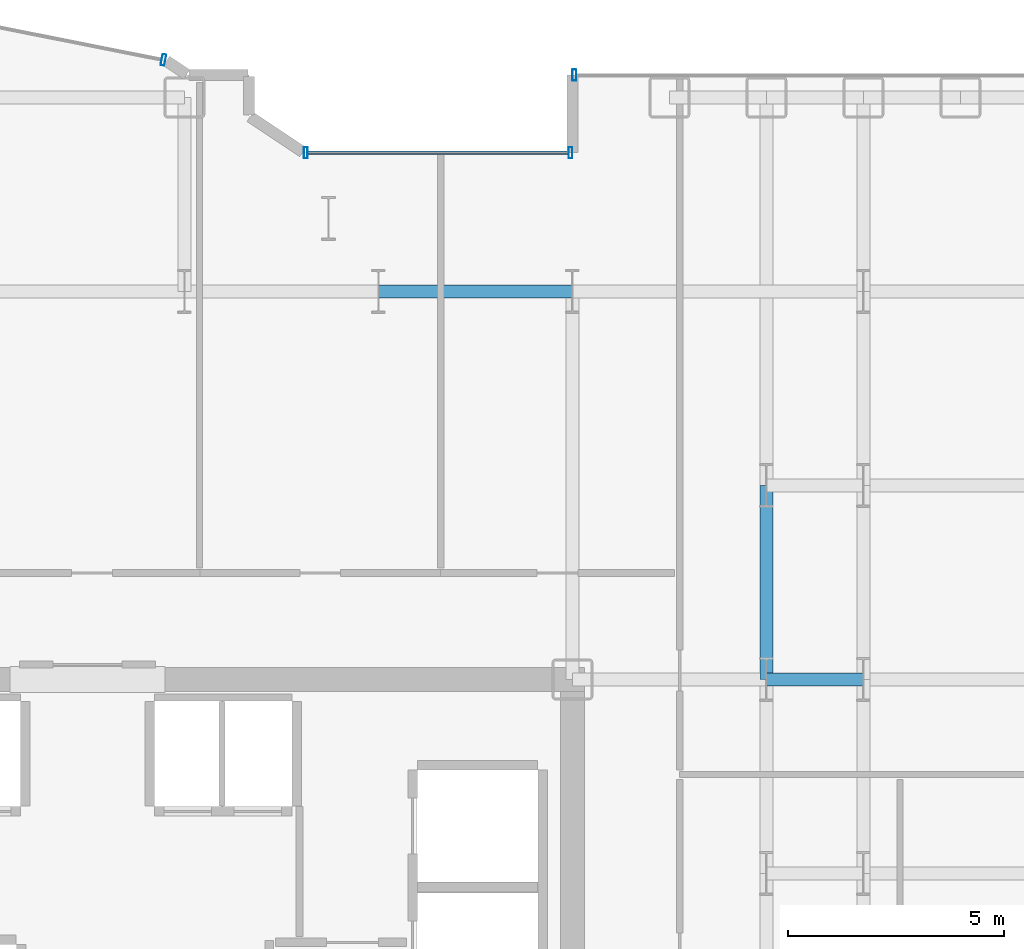
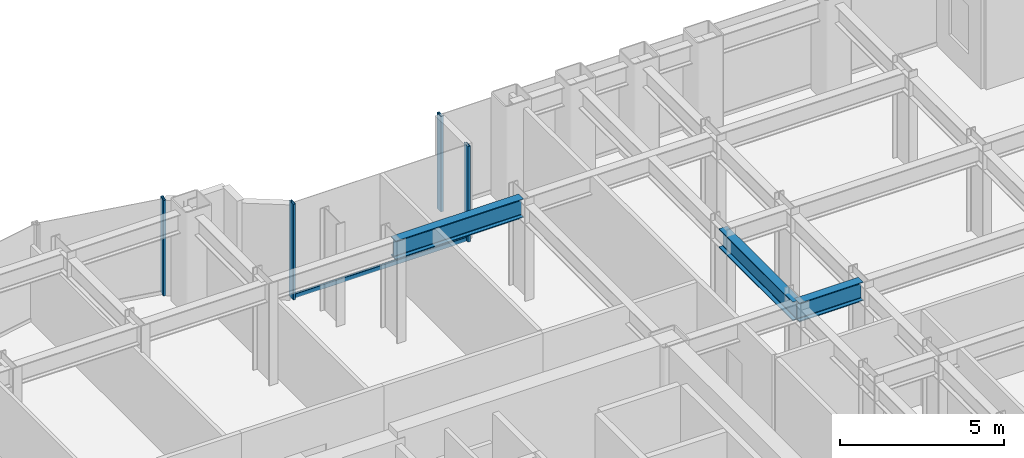
# One storey, part 12 of 26: 5 members, 3 beams, 3 elements without a shape of their own.
"""IFC4 building model written with IfcOpenShell, lengths in metres."""

import ifcopenshell
import ifcopenshell.guid

model = None  # the IFC model being written
_history = None  # IfcOwnerHistory: only IFC2X3 demands one
_inside = {}  # id of a spatial element -> (the spatial element, [elements in it])
_under = {}  # id of a project, library or spatial element -> (it, [spatial elements below it])
_declared = {}  # id of a project -> (the project, [libraries it declares])
_typed = {}  # id of a type object -> (the type object, [elements of that type])
_made_of = {}  # id of a material, layer set ... -> (it, [elements and type objects made of it])


def new_model(schema):
    """Start an empty IFC model of exactly this schema.

    Asked for "IFC4X3", IfcOpenShell would pick the latest addendum, in which some entities
    have other attributes; the version numbers below select the first issue.
    IFC2X3 requires an IfcOwnerHistory on every rooted entity: one is made here for all.
    """
    global model, _history
    if schema == "IFC4X3":
        model = ifcopenshell.file(schema_version=(4, 3, 0, 0))
    else:
        model = ifcopenshell.file(schema=schema)
    _inside.clear()
    _under.clear()
    _declared.clear()
    _typed.clear()
    _made_of.clear()
    _history = None
    if model.schema == "IFC2X3":
        org = make("IfcOrganization", Name="unknown")
        user = make(
            "IfcPersonAndOrganization",
            ThePerson=make("IfcPerson", FamilyName="unknown"),
            TheOrganization=org,
        )
        app = make(
            "IfcApplication",
            ApplicationDeveloper=org,
            Version="unknown",
            ApplicationFullName="unknown",
            ApplicationIdentifier="unknown",
        )
        _history = make(
            "IfcOwnerHistory",
            OwningUser=user,
            OwningApplication=app,
            ChangeAction="ADDED",
            CreationDate=0,
        )
    return model


def make(cls, **values):
    """One entity of the class cls with the attributes given. An attribute that is None is left unset."""
    return model.create_entity(
        cls, **{name: value for name, value in values.items() if value is not None}
    )


def rooted(cls, **values):
    """An entity with a GlobalId (a new one), such as an element, a storey or a relation."""
    return make(cls, GlobalId=ifcopenshell.guid.new(), OwnerHistory=_history, **values)


def si_unit(unit_type, name, prefix=None):
    """IfcSIUnit, for example si_unit("LENGTHUNIT", "METRE", prefix="MILLI")."""
    return make("IfcSIUnit", UnitType=unit_type, Prefix=prefix, Name=name)


def assignment(units):
    """IfcUnitAssignment: the units of a project."""
    return None if units is None else make("IfcUnitAssignment", Units=units)


def point(xyz):
    """IfcCartesianPoint."""
    return None if xyz is None else make("IfcCartesianPoint", Coordinates=xyz)


def direction(xyz):
    """IfcDirection."""
    return None if xyz is None else make("IfcDirection", DirectionRatios=xyz)


def frame(location, z_axis=None, x_axis=None):
    """IfcAxis2Placement3D, a coordinate frame: its origin and axes. An axis left out is left unset."""
    return make(
        "IfcAxis2Placement3D",
        Location=point(location),
        Axis=direction(z_axis),
        RefDirection=direction(x_axis),
    )


def frame_2d(location, x_axis=None):
    """IfcAxis2Placement2D, a coordinate frame in the plane: its origin and x axis."""
    return make(
        "IfcAxis2Placement2D", Location=point(location), RefDirection=direction(x_axis)
    )


def origin():
    """The frame at (0, 0, 0) with its axes left unset."""
    return frame((0.0, 0.0, 0.0))


def origin_2d():
    """The frame at (0, 0) in the plane with its x axis left unset."""
    return frame_2d((0.0, 0.0))


def place(relative_to, where):
    """IfcLocalPlacement: puts the frame where relative to a parent placement (None: the world)."""
    return make(
        "IfcLocalPlacement", PlacementRelTo=relative_to, RelativePlacement=where
    )


def context(
    kind, dimensions, precision=None, world=None, true_north=None, identifier=None
):
    """IfcGeometricRepresentationContext, for example the 3D "Model" context."""
    return make(
        "IfcGeometricRepresentationContext",
        ContextIdentifier=identifier,
        ContextType=kind,
        CoordinateSpaceDimension=dimensions,
        Precision=precision,
        WorldCoordinateSystem=world,
        TrueNorth=true_north,
    )


def subcontext(parent, identifier, kind, view, scale=None):
    """IfcGeometricRepresentationSubContext, for example "Body" below "Model"."""
    return make(
        "IfcGeometricRepresentationSubContext",
        ContextIdentifier=identifier,
        ContextType=kind,
        ParentContext=parent,
        TargetScale=scale,
        TargetView=view,
    )


def project(units=None, contexts=None):
    """IfcProject with its units and contexts."""
    return rooted(
        "IfcProject",
        Name="project",
        RepresentationContexts=contexts,
        UnitsInContext=assignment(units),
    )


def spatial(cls, under=None, at=None, **own):
    """A site, building, storey or space (cls), placed at a placement, below another one or the project."""
    s = rooted(cls, ObjectPlacement=at, **own)
    if under is not None:
        _under.setdefault(under.id(), (under, []))[1].append(s)
    return s


def profile(cls, at=None, kind="AREA", **sizes):
    """A parametric profile (cls). Its sizes go by their IFC names, for example OverallWidth=200.0."""
    return make(cls, ProfileType=kind, Position=at, **sizes)


def hollow_rectangle(**sizes):
    """IfcRectangleHollowProfileDef."""
    return profile("IfcRectangleHollowProfileDef", **sizes)


def i_section(**sizes):
    """IfcIShapeProfileDef."""
    return profile("IfcIShapeProfileDef", **sizes)


def extrude(swept, where, along, depth):
    """IfcExtrudedAreaSolid: the profile swept, set in the frame where, extruded along a direction by depth."""
    return make(
        "IfcExtrudedAreaSolid",
        SweptArea=swept,
        Position=where,
        ExtrudedDirection=direction(along),
        Depth=depth,
    )


def shape(context_of_items, identifier, shape_type, items):
    """IfcShapeRepresentation: the items that make up one representation, for example the "Body"."""
    return make(
        "IfcShapeRepresentation",
        ContextOfItems=context_of_items,
        RepresentationIdentifier=identifier,
        RepresentationType=shape_type,
        Items=items,
    )


def source(mapping_origin, context_of_items, identifier, shape_type, items):
    """IfcRepresentationMap: a shape defined once, which mapped items show again and again."""
    return make(
        "IfcRepresentationMap",
        MappingOrigin=mapping_origin,
        MappedRepresentation=shape(context_of_items, identifier, shape_type, items),
    )


def transform(
    local_origin,
    x_axis=None,
    y_axis=None,
    z_axis=None,
    scale=None,
    scale2=None,
    scale3=None,
    uniform=True,
):
    """IfcCartesianTransformationOperator3D, or its non-uniform kind. x_axis, y_axis, z_axis: its Axis1, 2, 3."""
    if uniform:
        return make(
            "IfcCartesianTransformationOperator3D",
            Axis1=direction(x_axis),
            Axis2=direction(y_axis),
            LocalOrigin=point(local_origin),
            Scale=scale,
            Axis3=direction(z_axis),
        )
    return make(
        "IfcCartesianTransformationOperator3DnonUniform",
        Axis1=direction(x_axis),
        Axis2=direction(y_axis),
        LocalOrigin=point(local_origin),
        Scale=scale,
        Axis3=direction(z_axis),
        Scale2=scale2,
        Scale3=scale3,
    )


def mapped(mapping_source, mapping_target):
    """IfcMappedItem: shows the shape of a source again, moved by a transform."""
    return make(
        "IfcMappedItem", MappingSource=mapping_source, MappingTarget=mapping_target
    )


def material(Name=None, Category=None):
    """IfcMaterial."""
    return make("IfcMaterial", Name=Name, Category=Category)


def layer(
    of_material, thickness, ventilated=None, Name=None, Category=None, Priority=None
):
    """IfcMaterialLayer: one layer of a wall or slab, of a material (None: an air gap)."""
    return make(
        "IfcMaterialLayer",
        Material=of_material,
        LayerThickness=thickness,
        IsVentilated=ventilated,
        Name=Name,
        Category=Category,
        Priority=Priority,
    )


def layer_set(layers, Name=None):
    """IfcMaterialLayerSet."""
    return make("IfcMaterialLayerSet", MaterialLayers=layers, LayerSetName=Name)


def material_profile(
    of_material, cross_section, Name=None, Category=None, Priority=None
):
    """IfcMaterialProfile: a cross section and its material."""
    return make(
        "IfcMaterialProfile",
        Name=Name,
        Material=of_material,
        Profile=cross_section,
        Priority=Priority,
        Category=Category,
    )


def profile_set(profiles, Name=None, composite=None):
    """IfcMaterialProfileSet."""
    return make(
        "IfcMaterialProfileSet",
        Name=Name,
        MaterialProfiles=profiles,
        CompositeProfile=composite,
    )


def made_of(thing, what):
    """Note that an element or type object is made of a material, layer set ...; save() writes the relation."""
    if what is not None:
        _made_of.setdefault(what.id(), (what, []))[1].append(thing)
    return thing


def type_object(cls, material=None, **own):
    """A type object (cls), such as IfcWallType, which elements share."""
    return made_of(rooted(cls, **own), material)


def element(
    cls,
    number,
    at=None,
    inside=None,
    cuts=None,
    type_object=None,
    material=None,
    context=None,
    identifier="Body",
    shape_type=None,
    held_by="IfcProductDefinitionShape",
    body=None,
    shapes=None,
    **own,
):
    """One element of the class cls, such as IfcWall. Its Tag is "e" and its number.

    at: its placement. inside: the storey or other place that contains it. cuts: it is an
    opening in that element (IfcRelVoidsElement). A single representation is given by context,
    identifier, shape_type and body (its items); several are given by shapes. held_by: the class
    of the entity that holds the representations. save() writes the other relations.
    """
    e = rooted(cls, Tag="e%d" % number, ObjectPlacement=at, **own)
    if body is not None:
        shapes = [shape(context, identifier, shape_type, body)]
    if shapes is not None:
        e.Representation = make(held_by, Representations=shapes)
    if inside is not None:
        _inside.setdefault(inside.id(), (inside, []))[1].append(e)
    if cuts is not None:
        rooted(
            "IfcRelVoidsElement", RelatingBuildingElement=cuts, RelatedOpeningElement=e
        )
    if type_object is not None:
        _typed.setdefault(type_object.id(), (type_object, []))[1].append(e)
    return made_of(e, material)


def aggregate(whole, parts):
    """IfcRelAggregates: a whole, such as a stair, and the parts it consists of."""
    return rooted("IfcRelAggregates", RelatingObject=whole, RelatedObjects=parts)


def save(model, path):
    """Write the relations noted so far, then the file.

    IfcRelAggregates (storeys below a building ...), IfcRelContainedInSpatialStructure (elements
    in a storey), IfcRelDefinesByType, IfcRelAssociatesMaterial and IfcRelDeclares: one each for
    every whole, place, type object, material and project.
    """
    for whole, parts in _under.values():
        aggregate(whole, parts)
    for where, things in _inside.values():
        rooted(
            "IfcRelContainedInSpatialStructure",
            RelatedElements=things,
            RelatingStructure=where,
        )
    for kind, things in _typed.values():
        rooted("IfcRelDefinesByType", RelatedObjects=things, RelatingType=kind)
    for what, things in _made_of.values():
        rooted("IfcRelAssociatesMaterial", RelatedObjects=things, RelatingMaterial=what)
    for by, libraries in _declared.values():
        rooted("IfcRelDeclares", RelatingContext=by, RelatedDefinitions=libraries)
    model.write(path)


model = new_model("IFC4")

# Units and contexts
model_context = context("Model", 3, precision=1e-05, world=origin(), true_north=direction((0.0, 1.0)))
body_context = subcontext(model_context, "Body", "Model", "MODEL_VIEW")
ifc_project = project(units=[si_unit("LENGTHUNIT", "METRE"), si_unit("AREAUNIT", "SQUARE_METRE"), si_unit("VOLUMEUNIT", "CUBIC_METRE"), si_unit("PLANEANGLEUNIT", "RADIAN"), si_unit("MASSUNIT", "GRAM", prefix="KILO")], contexts=[model_context])

# Site, building, storey
site_placement = place(None, origin())
site = spatial("IfcSite", under=ifc_project, at=site_placement, CompositionType="ELEMENT")
building_placement = place(site_placement, origin())
building = spatial("IfcBuilding", under=site, at=building_placement, Name="Nefas-Gora Pilgrimage Tower", CompositionType="ELEMENT")
storey_placement = place(building_placement, frame((0.0, 0.0, 94.60009765625)))
storey = spatial("IfcBuildingStorey", under=building, at=storey_placement, Name="L22", CompositionType="ELEMENT", Elevation=94.60009765625)

# Beams
ifc_material_1 = material(Name="Steel S355", Category="steel")
ifc_material_profile_1 = material_profile(ifc_material_1, i_section(OverallWidth=0.300048828125, OverallDepth=0.699951171875, WebThickness=0.01708984375, FlangeThickness=0.031982421875, FilletRadius=0.027099609375, at=origin_2d()), Name="HEB 700")
ifc_profile_set_1 = profile_set([ifc_material_profile_1], Name="Steel S355")
beam_type = type_object("IfcBeamType", Name="BM-GIR-HEB700", PredefinedType="BEAM", material=ifc_profile_set_1)
shared_shape_1 = source(origin(), body_context, "Body", "SweptSolid", [
    extrude(i_section(OverallWidth=0.300048828125, OverallDepth=0.699951171875, WebThickness=0.01708984375, FlangeThickness=0.031982421875, FilletRadius=0.027099609375, at=origin_2d()), origin(), (0.0, 0.0, 1.0), 4.5),
])
for number, where, z_axis, x_axis, name in (
    (1, (6.75, 18.0, 3.199951171875), (1.0, 0.0, 0.0), (0.0, 1.0, 0.0), "L22 G-02 beam"),
    (2, (15.75, 9.0, 3.199951171875), (0.0, 1.0, 0.0), (-1.0, 0.0, 0.0), "L22 G-02 beam"),
):
    element("IfcBeam", number, at=place(storey_placement, frame(where, z_axis=z_axis, x_axis=x_axis)), inside=storey, type_object=beam_type, Name=name, PredefinedType="BEAM", context=body_context, shape_type="MappedRepresentation", body=[
        mapped(shared_shape_1, transform((0.0, 0.0, 0.0), x_axis=(1.0, 0.0, 0.0), y_axis=(0.0, 1.0, 0.0), z_axis=(0.0, 0.0, 1.0), scale=1.0)),
    ])
shared_shape_2 = source(origin(), body_context, "Body", "SweptSolid", [
    extrude(i_section(OverallWidth=0.300048828125, OverallDepth=0.699951171875, WebThickness=0.01708984375, FlangeThickness=0.031982421875, FilletRadius=0.027099609375, at=origin_2d()), origin(), (0.0, 0.0, 1.0), 2.25),
])
beam_placement = place(storey_placement, frame((15.75, 9.0, 3.199951171875), z_axis=(1.0, 0.0, 0.0), x_axis=(0.0, 1.0, 0.0)))
element("IfcBeam", 3, at=beam_placement, inside=storey, type_object=beam_type, Name="L22 G-02 beam", PredefinedType="BEAM", context=body_context, shape_type="MappedRepresentation", body=[
    mapped(shared_shape_2, transform((0.0, 0.0, 0.0), x_axis=(1.0, 0.0, 0.0), y_axis=(0.0, 1.0, 0.0), z_axis=(0.0, 0.0, 1.0), scale=1.0)),
])

# Curtain wall, members
ifc_material_2 = material(Name="Dark ceramic-fritted solar-control aluminium-glass curtain wall", Category="aluminium")
ifc_layer_1 = layer(ifc_material_2, 0.219970703125)
ifc_layer_set_1 = layer_set([ifc_layer_1], Name="Dark ceramic-fritted solar-control aluminium-glass curtain wall")
curtain_wall_type_1 = type_object("IfcCurtainWallType", Name="CW-SYS-5", PredefinedType="NOTDEFINED", material=ifc_layer_set_1)
curtain_wall_1_placement = place(storey_placement, origin())
curtain_wall_1 = element("IfcCurtainWall", 4, at=curtain_wall_1_placement, inside=storey, type_object=curtain_wall_type_1, Name="L22 Unitised Curtain Wall CW5", PredefinedType="NOTDEFINED")
ifc_material_3 = material(Name="Anodised architectural aluminium", Category="aluminium")
ifc_material_profile_2 = material_profile(ifc_material_3, hollow_rectangle(XDim=0.080078125, YDim=0.159912109375, WallThickness=0.00439453125, InnerFilletRadius=0.00439453125, OuterFilletRadius=0.009033203125, at=origin_2d()), Name="ALU TRANSOM 80x160")
ifc_profile_set_2 = profile_set([ifc_material_profile_2], Name="Anodised architectural aluminium")
member_type_1 = type_object("IfcMemberType", Name="CWM-TRN-5", PredefinedType="USERDEFINED", material=ifc_profile_set_2)
shared_shape_3 = source(origin(), body_context, "Body", "SweptSolid", [
    extrude(hollow_rectangle(XDim=0.080078125, YDim=0.159912109375, WallThickness=0.00439453125, InnerFilletRadius=0.00439453125, OuterFilletRadius=0.009033203125, at=origin_2d()), origin(), (0.0, 0.0, 1.0), 6.052001953125),
])
member_1_placement = place(storey_placement, frame((11.159912109375, 21.219970703125, 0.0498046875), z_axis=(-1.0, 0.0, 0.0), x_axis=(0.0, -1.0, 0.0)))
member_1 = element("IfcMember", 5, at=member_1_placement, type_object=member_type_1, Name="CW5 Spandrel Transom", ObjectType="TRANSOM", PredefinedType="USERDEFINED", context=body_context, shape_type="MappedRepresentation", body=[
    mapped(shared_shape_3, transform((0.0, 0.0, 0.0), x_axis=(1.0, 0.0, 0.0), y_axis=(0.0, 1.0, 0.0), z_axis=(0.0, 0.0, 1.0), scale=1.0)),
])
ifc_material_profile_3 = material_profile(ifc_material_3, hollow_rectangle(XDim=0.090087890625, YDim=0.260009765625, WallThickness=0.006103515625, InnerFilletRadius=0.006103515625, OuterFilletRadius=0.011962890625, at=origin_2d()), Name="ALU MULLION 90x260")
ifc_profile_set_3 = profile_set([ifc_material_profile_3], Name="Anodised architectural aluminium")
member_type_2 = type_object("IfcMemberType", Name="CWM-MUL-5", PredefinedType="MULLION", material=ifc_profile_set_3)
shared_shape_4 = source(origin(), body_context, "Body", "SweptSolid", [
    extrude(hollow_rectangle(XDim=0.090087890625, YDim=0.260009765625, WallThickness=0.006103515625, InnerFilletRadius=0.006103515625, OuterFilletRadius=0.011962890625, at=origin_2d()), origin(), (0.0, 0.0, 1.0), 3.5498046875),
])
member_2_placement = place(storey_placement, frame((11.205078125, 21.219970703125, 0.0), z_axis=(0.0, 0.0, 1.0), x_axis=(-1.0, 0.0, 0.0)))
member_2 = element("IfcMember", 6, at=member_2_placement, type_object=member_type_2, Name="CW5 Mullion 1", PredefinedType="MULLION", context=body_context, shape_type="MappedRepresentation", body=[
    mapped(shared_shape_4, transform((0.0, 0.0, 0.0), x_axis=(1.0, 0.0, 0.0), y_axis=(0.0, 1.0, 0.0), z_axis=(0.0, 0.0, 1.0), scale=1.0)),
])
member_3_placement = place(storey_placement, frame((5.06298828125, 21.219970703125, 0.0), z_axis=(0.0, 0.0, 1.0), x_axis=(-1.0, 0.0, 0.0)))
member_3 = element("IfcMember", 7, at=member_3_placement, type_object=member_type_2, Name="CW5 Mullion 2", PredefinedType="MULLION", context=body_context, shape_type="MappedRepresentation", body=[
    mapped(shared_shape_4, transform((0.0, 0.0, 0.0), x_axis=(1.0, 0.0, 0.0), y_axis=(0.0, 1.0, 0.0), z_axis=(0.0, 0.0, 1.0), scale=1.0)),
])
aggregate(curtain_wall_1, [member_2, member_3, member_1])

# Curtain wall, member
curtain_wall_2_placement = place(storey_placement, origin())
curtain_wall_2 = element("IfcCurtainWall", 8, at=curtain_wall_2_placement, inside=storey, type_object=curtain_wall_type_1, Name="L22 Unitised Curtain Wall CW5", PredefinedType="NOTDEFINED")
member_4_placement = place(storey_placement, frame((1.76318359375, 23.3740234375, 0.0), z_axis=(0.0, 0.0, 1.0), x_axis=(-0.980782896852, 0.195102304554, 0.0)))
member_4 = element("IfcMember", 9, at=member_4_placement, type_object=member_type_2, Name="CW5 Mullion 1", PredefinedType="MULLION", context=body_context, shape_type="MappedRepresentation", body=[
    mapped(shared_shape_4, transform((0.0, 0.0, 0.0), x_axis=(1.0, 0.0, 0.0), y_axis=(0.0, 1.0, 0.0), z_axis=(0.0, 0.0, 1.0), scale=1.0)),
])
aggregate(curtain_wall_2, [member_4])

ifc_layer_2 = layer(ifc_material_2, 0.219970703125)
ifc_layer_set_2 = layer_set([ifc_layer_2], Name="Dark ceramic-fritted solar-control aluminium-glass curtain wall")
curtain_wall_type_2 = type_object("IfcCurtainWallType", Name="CW-SYS-2", PredefinedType="NOTDEFINED", material=ifc_layer_set_2)
curtain_wall_3_placement = place(storey_placement, origin())
curtain_wall_3 = element("IfcCurtainWall", 10, at=curtain_wall_3_placement, inside=storey, type_object=curtain_wall_type_2, Name="L22 Unitised Curtain Wall CW2", PredefinedType="NOTDEFINED")
ifc_material_profile_4 = material_profile(ifc_material_3, hollow_rectangle(XDim=0.090087890625, YDim=0.260009765625, WallThickness=0.006103515625, InnerFilletRadius=0.006103515625, OuterFilletRadius=0.011962890625, at=origin_2d()), Name="ALU MULLION 90x260")
ifc_profile_set_4 = profile_set([ifc_material_profile_4], Name="Anodised architectural aluminium")
member_type_3 = type_object("IfcMemberType", Name="CWM-MUL-2", PredefinedType="MULLION", material=ifc_profile_set_4)
shared_shape_5 = source(origin(), body_context, "Body", "SweptSolid", [
    extrude(hollow_rectangle(XDim=0.090087890625, YDim=0.260009765625, WallThickness=0.006103515625, InnerFilletRadius=0.006103515625, OuterFilletRadius=0.011962890625, at=origin_2d()), origin(), (0.0, 0.0, 1.0), 3.5498046875),
])
member_5_placement = place(storey_placement, frame((11.294921875, 23.02001953125, 0.0), z_axis=(0.0, 0.0, 1.0), x_axis=(-1.0, 0.0, 0.0)))
member_5 = element("IfcMember", 11, at=member_5_placement, type_object=member_type_3, Name="CW2 Mullion 2", PredefinedType="MULLION", context=body_context, shape_type="MappedRepresentation", body=[
    mapped(shared_shape_5, transform((0.0, 0.0, 0.0), x_axis=(1.0, 0.0, 0.0), y_axis=(0.0, 1.0, 0.0), z_axis=(0.0, 0.0, 1.0), scale=1.0)),
])
aggregate(curtain_wall_3, [member_5])

save(model, "model.ifc")
